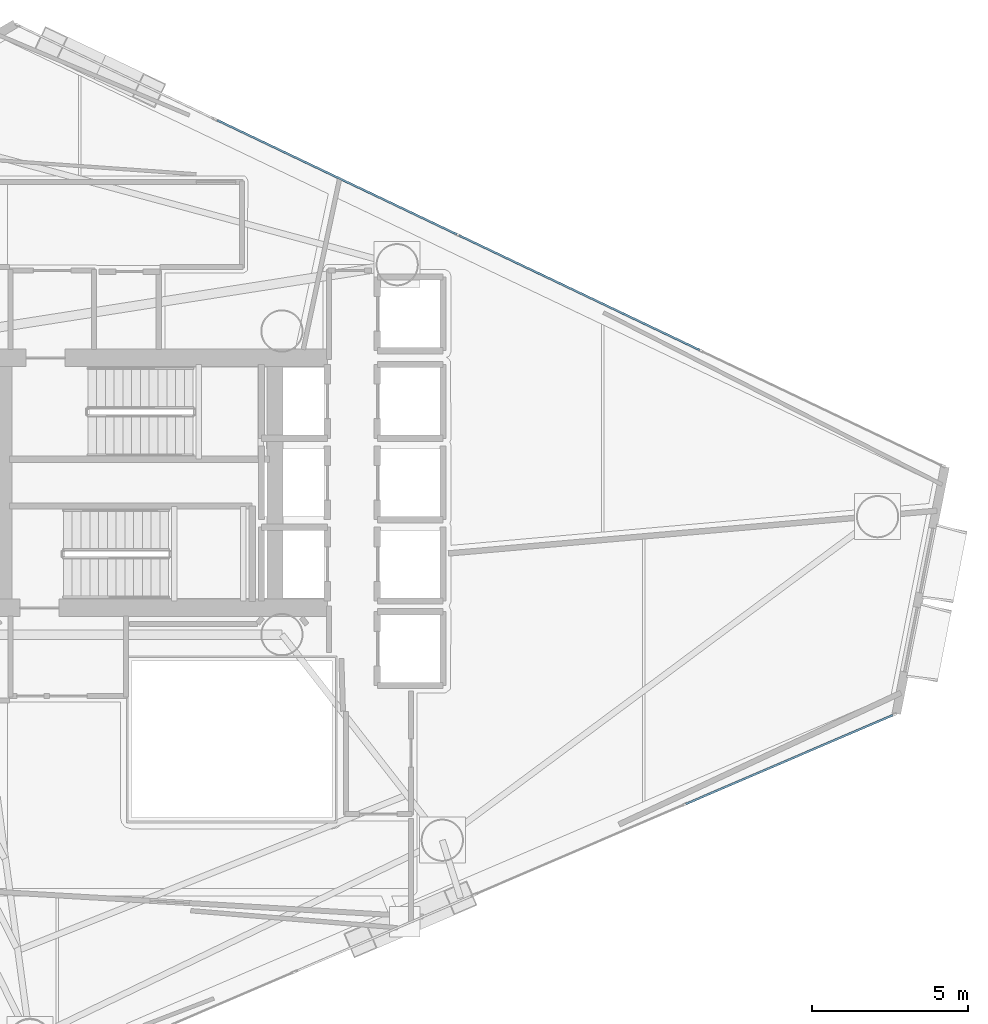
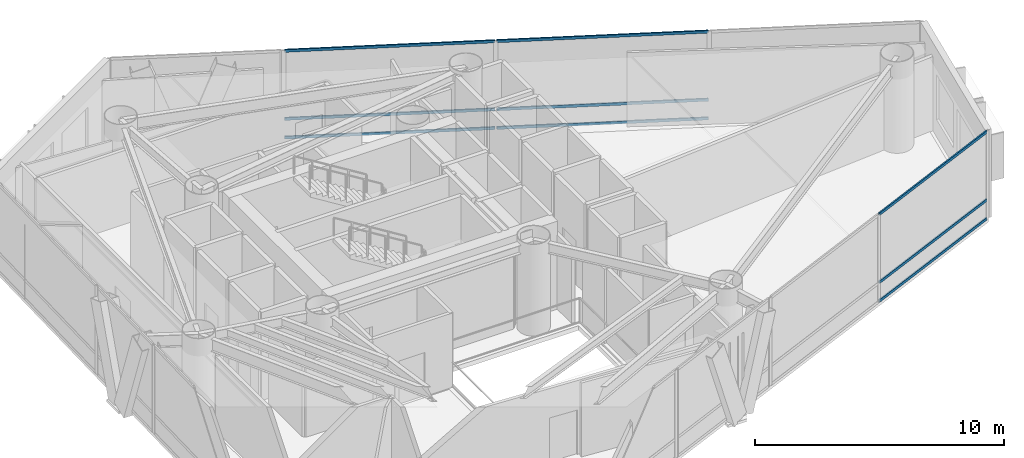
# One storey, part 12 of 21: 9 members, 2 elements without a shape of their own.
"""IFC4 building model written with IfcOpenShell, lengths in metres."""

import ifcopenshell
import ifcopenshell.guid

model = None  # the IFC model being written
_history = None  # IfcOwnerHistory: only IFC2X3 demands one
_inside = {}  # id of a spatial element -> (the spatial element, [elements in it])
_under = {}  # id of a project, library or spatial element -> (it, [spatial elements below it])
_declared = {}  # id of a project -> (the project, [libraries it declares])
_typed = {}  # id of a type object -> (the type object, [elements of that type])
_made_of = {}  # id of a material, layer set ... -> (it, [elements and type objects made of it])


def new_model(schema):
    """Start an empty IFC model of exactly this schema.

    Asked for "IFC4X3", IfcOpenShell would pick the latest addendum, in which some entities
    have other attributes; the version numbers below select the first issue.
    IFC2X3 requires an IfcOwnerHistory on every rooted entity: one is made here for all.
    """
    global model, _history
    if schema == "IFC4X3":
        model = ifcopenshell.file(schema_version=(4, 3, 0, 0))
    else:
        model = ifcopenshell.file(schema=schema)
    _inside.clear()
    _under.clear()
    _declared.clear()
    _typed.clear()
    _made_of.clear()
    _history = None
    if model.schema == "IFC2X3":
        org = make("IfcOrganization", Name="unknown")
        user = make(
            "IfcPersonAndOrganization",
            ThePerson=make("IfcPerson", FamilyName="unknown"),
            TheOrganization=org,
        )
        app = make(
            "IfcApplication",
            ApplicationDeveloper=org,
            Version="unknown",
            ApplicationFullName="unknown",
            ApplicationIdentifier="unknown",
        )
        _history = make(
            "IfcOwnerHistory",
            OwningUser=user,
            OwningApplication=app,
            ChangeAction="ADDED",
            CreationDate=0,
        )
    return model


def make(cls, **values):
    """One entity of the class cls with the attributes given. An attribute that is None is left unset."""
    return model.create_entity(
        cls, **{name: value for name, value in values.items() if value is not None}
    )


def rooted(cls, **values):
    """An entity with a GlobalId (a new one), such as an element, a storey or a relation."""
    return make(cls, GlobalId=ifcopenshell.guid.new(), OwnerHistory=_history, **values)


def si_unit(unit_type, name, prefix=None):
    """IfcSIUnit, for example si_unit("LENGTHUNIT", "METRE", prefix="MILLI")."""
    return make("IfcSIUnit", UnitType=unit_type, Prefix=prefix, Name=name)


def assignment(units):
    """IfcUnitAssignment: the units of a project."""
    return None if units is None else make("IfcUnitAssignment", Units=units)


def point(xyz):
    """IfcCartesianPoint."""
    return None if xyz is None else make("IfcCartesianPoint", Coordinates=xyz)


def direction(xyz):
    """IfcDirection."""
    return None if xyz is None else make("IfcDirection", DirectionRatios=xyz)


def frame(location, z_axis=None, x_axis=None):
    """IfcAxis2Placement3D, a coordinate frame: its origin and axes. An axis left out is left unset."""
    return make(
        "IfcAxis2Placement3D",
        Location=point(location),
        Axis=direction(z_axis),
        RefDirection=direction(x_axis),
    )


def frame_2d(location, x_axis=None):
    """IfcAxis2Placement2D, a coordinate frame in the plane: its origin and x axis."""
    return make(
        "IfcAxis2Placement2D", Location=point(location), RefDirection=direction(x_axis)
    )


def origin():
    """The frame at (0, 0, 0) with its axes left unset."""
    return frame((0.0, 0.0, 0.0))


def origin_2d():
    """The frame at (0, 0) in the plane with its x axis left unset."""
    return frame_2d((0.0, 0.0))


def place(relative_to, where):
    """IfcLocalPlacement: puts the frame where relative to a parent placement (None: the world)."""
    return make(
        "IfcLocalPlacement", PlacementRelTo=relative_to, RelativePlacement=where
    )


def context(
    kind, dimensions, precision=None, world=None, true_north=None, identifier=None
):
    """IfcGeometricRepresentationContext, for example the 3D "Model" context."""
    return make(
        "IfcGeometricRepresentationContext",
        ContextIdentifier=identifier,
        ContextType=kind,
        CoordinateSpaceDimension=dimensions,
        Precision=precision,
        WorldCoordinateSystem=world,
        TrueNorth=true_north,
    )


def subcontext(parent, identifier, kind, view, scale=None):
    """IfcGeometricRepresentationSubContext, for example "Body" below "Model"."""
    return make(
        "IfcGeometricRepresentationSubContext",
        ContextIdentifier=identifier,
        ContextType=kind,
        ParentContext=parent,
        TargetScale=scale,
        TargetView=view,
    )


def project(units=None, contexts=None):
    """IfcProject with its units and contexts."""
    return rooted(
        "IfcProject",
        Name="project",
        RepresentationContexts=contexts,
        UnitsInContext=assignment(units),
    )


def spatial(cls, under=None, at=None, **own):
    """A site, building, storey or space (cls), placed at a placement, below another one or the project."""
    s = rooted(cls, ObjectPlacement=at, **own)
    if under is not None:
        _under.setdefault(under.id(), (under, []))[1].append(s)
    return s


def profile(cls, at=None, kind="AREA", **sizes):
    """A parametric profile (cls). Its sizes go by their IFC names, for example OverallWidth=200.0."""
    return make(cls, ProfileType=kind, Position=at, **sizes)


def hollow_rectangle(**sizes):
    """IfcRectangleHollowProfileDef."""
    return profile("IfcRectangleHollowProfileDef", **sizes)


def extrude(swept, where, along, depth):
    """IfcExtrudedAreaSolid: the profile swept, set in the frame where, extruded along a direction by depth."""
    return make(
        "IfcExtrudedAreaSolid",
        SweptArea=swept,
        Position=where,
        ExtrudedDirection=direction(along),
        Depth=depth,
    )


def shape(context_of_items, identifier, shape_type, items):
    """IfcShapeRepresentation: the items that make up one representation, for example the "Body"."""
    return make(
        "IfcShapeRepresentation",
        ContextOfItems=context_of_items,
        RepresentationIdentifier=identifier,
        RepresentationType=shape_type,
        Items=items,
    )


def material(Name=None, Category=None):
    """IfcMaterial."""
    return make("IfcMaterial", Name=Name, Category=Category)


def layer(
    of_material, thickness, ventilated=None, Name=None, Category=None, Priority=None
):
    """IfcMaterialLayer: one layer of a wall or slab, of a material (None: an air gap)."""
    return make(
        "IfcMaterialLayer",
        Material=of_material,
        LayerThickness=thickness,
        IsVentilated=ventilated,
        Name=Name,
        Category=Category,
        Priority=Priority,
    )


def layer_set(layers, Name=None):
    """IfcMaterialLayerSet."""
    return make("IfcMaterialLayerSet", MaterialLayers=layers, LayerSetName=Name)


def material_profile(
    of_material, cross_section, Name=None, Category=None, Priority=None
):
    """IfcMaterialProfile: a cross section and its material."""
    return make(
        "IfcMaterialProfile",
        Name=Name,
        Material=of_material,
        Profile=cross_section,
        Priority=Priority,
        Category=Category,
    )


def profile_set(profiles, Name=None, composite=None):
    """IfcMaterialProfileSet."""
    return make(
        "IfcMaterialProfileSet",
        Name=Name,
        MaterialProfiles=profiles,
        CompositeProfile=composite,
    )


def made_of(thing, what):
    """Note that an element or type object is made of a material, layer set ...; save() writes the relation."""
    if what is not None:
        _made_of.setdefault(what.id(), (what, []))[1].append(thing)
    return thing


def type_object(cls, material=None, **own):
    """A type object (cls), such as IfcWallType, which elements share."""
    return made_of(rooted(cls, **own), material)


def element(
    cls,
    number,
    at=None,
    inside=None,
    cuts=None,
    type_object=None,
    material=None,
    context=None,
    identifier="Body",
    shape_type=None,
    held_by="IfcProductDefinitionShape",
    body=None,
    shapes=None,
    **own,
):
    """One element of the class cls, such as IfcWall. Its Tag is "e" and its number.

    at: its placement. inside: the storey or other place that contains it. cuts: it is an
    opening in that element (IfcRelVoidsElement). A single representation is given by context,
    identifier, shape_type and body (its items); several are given by shapes. held_by: the class
    of the entity that holds the representations. save() writes the other relations.
    """
    e = rooted(cls, Tag="e%d" % number, ObjectPlacement=at, **own)
    if body is not None:
        shapes = [shape(context, identifier, shape_type, body)]
    if shapes is not None:
        e.Representation = make(held_by, Representations=shapes)
    if inside is not None:
        _inside.setdefault(inside.id(), (inside, []))[1].append(e)
    if cuts is not None:
        rooted(
            "IfcRelVoidsElement", RelatingBuildingElement=cuts, RelatedOpeningElement=e
        )
    if type_object is not None:
        _typed.setdefault(type_object.id(), (type_object, []))[1].append(e)
    return made_of(e, material)


def aggregate(whole, parts):
    """IfcRelAggregates: a whole, such as a stair, and the parts it consists of."""
    return rooted("IfcRelAggregates", RelatingObject=whole, RelatedObjects=parts)


def save(model, path):
    """Write the relations noted so far, then the file.

    IfcRelAggregates (storeys below a building ...), IfcRelContainedInSpatialStructure (elements
    in a storey), IfcRelDefinesByType, IfcRelAssociatesMaterial and IfcRelDeclares: one each for
    every whole, place, type object, material and project.
    """
    for whole, parts in _under.values():
        aggregate(whole, parts)
    for where, things in _inside.values():
        rooted(
            "IfcRelContainedInSpatialStructure",
            RelatedElements=things,
            RelatingStructure=where,
        )
    for kind, things in _typed.values():
        rooted("IfcRelDefinesByType", RelatedObjects=things, RelatingType=kind)
    for what, things in _made_of.values():
        rooted("IfcRelAssociatesMaterial", RelatedObjects=things, RelatingMaterial=what)
    for by, libraries in _declared.values():
        rooted("IfcRelDeclares", RelatingContext=by, RelatedDefinitions=libraries)
    model.write(path)


model = new_model("IFC4")

# Units and contexts
model_context = context("Model", 3, precision=1e-05, world=origin(), true_north=direction((0.0, 1.0)))
body_context = subcontext(model_context, "Body", "Model", "MODEL_VIEW")
ifc_project = project(units=[si_unit("LENGTHUNIT", "METRE"), si_unit("AREAUNIT", "SQUARE_METRE"), si_unit("VOLUMEUNIT", "CUBIC_METRE"), si_unit("PLANEANGLEUNIT", "RADIAN"), si_unit("MASSUNIT", "GRAM", prefix="KILO")], contexts=[model_context])

# Site, building, storey
site_placement = place(None, origin())
site = spatial("IfcSite", under=ifc_project, at=site_placement, CompositionType="ELEMENT")
building_placement = place(site_placement, origin())
building = spatial("IfcBuilding", under=site, at=building_placement, Name="Qianvela Tower", CompositionType="ELEMENT")
storey_placement = place(building_placement, frame((0.0, 0.0, 143.10009765625)))
storey = spatial("IfcBuildingStorey", under=building, at=storey_placement, Name="L36", CompositionType="ELEMENT", Elevation=143.10009765625)

# Curtain wall, members
ifc_material_1 = material(Name="Anodised Architectural Aluminium and Low-E Glass", Category="aluminium")
ifc_layer = layer(ifc_material_1, 0.18994140625)
ifc_layer_set = layer_set([ifc_layer], Name="Anodised Architectural Aluminium and Low-E Glass")
curtain_wall_type = type_object("IfcCurtainWallType", Name="CW-SKYLOBBY", PredefinedType="USERDEFINED", material=ifc_layer_set)
curtain_wall_1_placement = place(storey_placement, origin())
curtain_wall_1 = element("IfcCurtainWall", 1, at=curtain_wall_1_placement, inside=storey, type_object=curtain_wall_type, Name="L36 CW-SKYLOBBY Curtain Wall 02A", ObjectType="CURTAIN_WALL_SYSTEM", PredefinedType="USERDEFINED")
ifc_material_2 = material(Name="Anodised Architectural Aluminium 6063-T6", Category="aluminium")
ifc_material_profile = material_profile(ifc_material_2, hollow_rectangle(XDim=0.06494140625, YDim=0.1298828125, WallThickness=0.00439453125, at=origin_2d()), Name="ALU-TRAN-65x130")
ifc_profile_set = profile_set([ifc_material_profile], Name="Anodised Architectural Aluminium 6063-T6")
member_type = type_object("IfcMemberType", Name="CW-SKYLOBBY-TRAN", PredefinedType="USERDEFINED", material=ifc_profile_set)
member_1_placement = place(storey_placement, frame((51.752685546875, 32.94091796875, 0.032470703125), z_axis=(-0.902789029707, 0.430083675394, 0.0), x_axis=(-0.430083675394, -0.902789029707, 0.0)))
member_1 = element("IfcMember", 2, at=member_1_placement, type_object=member_type, Name="CW-7 transom 2.1", ObjectType="TRANSOM", PredefinedType="USERDEFINED", context=body_context, shape_type="SweptSolid", body=[
    extrude(hollow_rectangle(XDim=0.06494140625, YDim=0.1298828125, WallThickness=0.00439453125, at=origin_2d()), origin(), (0.0, 0.0, 1.0), 8.5234375),
])
member_2_placement = place(storey_placement, frame((51.752685546875, 32.94091796875, 0.949951171875), z_axis=(-0.902789029707, 0.430083675394, 0.0), x_axis=(-0.430083675394, -0.902789029707, 0.0)))
member_2 = element("IfcMember", 3, at=member_2_placement, type_object=member_type, Name="CW-7 transom 2.2", ObjectType="TRANSOM", PredefinedType="USERDEFINED", context=body_context, shape_type="SweptSolid", body=[
    extrude(hollow_rectangle(XDim=0.06494140625, YDim=0.1298828125, WallThickness=0.00439453125, at=origin_2d()), origin(), (0.0, 0.0, 1.0), 8.5234375),
])
member_3_placement = place(storey_placement, frame((51.752685546875, 32.94091796875, 4.287353515625), z_axis=(-0.902789029707, 0.430083675394, 0.0), x_axis=(-0.430083675394, -0.902789029707, 0.0)))
member_3 = element("IfcMember", 4, at=member_3_placement, type_object=member_type, Name="CW-7 transom 2.3", ObjectType="TRANSOM", PredefinedType="USERDEFINED", context=body_context, shape_type="SweptSolid", body=[
    extrude(hollow_rectangle(XDim=0.06494140625, YDim=0.1298828125, WallThickness=0.00439453125, at=origin_2d()), origin(), (0.0, 0.0, 1.0), 8.5234375),
])
member_4_placement = place(storey_placement, frame((43.994873046875, 36.63671875, 0.032470703125), z_axis=(-0.902783949861, 0.430094338342, 0.0), x_axis=(-0.430094338342, -0.902783949861, 0.0)))
member_4 = element("IfcMember", 5, at=member_4_placement, type_object=member_type, Name="CW-7 transom 3.1", ObjectType="TRANSOM", PredefinedType="USERDEFINED", context=body_context, shape_type="SweptSolid", body=[
    extrude(hollow_rectangle(XDim=0.06494140625, YDim=0.1298828125, WallThickness=0.00439453125, at=origin_2d()), origin(), (0.0, 0.0, 1.0), 8.488525390625),
])
member_5_placement = place(storey_placement, frame((43.994873046875, 36.63671875, 0.949951171875), z_axis=(-0.902783949861, 0.430094338342, 0.0), x_axis=(-0.430094338342, -0.902783949861, 0.0)))
member_5 = element("IfcMember", 6, at=member_5_placement, type_object=member_type, Name="CW-7 transom 3.2", ObjectType="TRANSOM", PredefinedType="USERDEFINED", context=body_context, shape_type="SweptSolid", body=[
    extrude(hollow_rectangle(XDim=0.06494140625, YDim=0.1298828125, WallThickness=0.00439453125, at=origin_2d()), origin(), (0.0, 0.0, 1.0), 8.488525390625),
])
member_6_placement = place(storey_placement, frame((43.994873046875, 36.63671875, 4.287353515625), z_axis=(-0.902783949861, 0.430094338342, 0.0), x_axis=(-0.430094338342, -0.902783949861, 0.0)))
member_6 = element("IfcMember", 7, at=member_6_placement, type_object=member_type, Name="CW-7 transom 3.3", ObjectType="TRANSOM", PredefinedType="USERDEFINED", context=body_context, shape_type="SweptSolid", body=[
    extrude(hollow_rectangle(XDim=0.06494140625, YDim=0.1298828125, WallThickness=0.00439453125, at=origin_2d()), origin(), (0.0, 0.0, 1.0), 8.488525390625),
])
aggregate(curtain_wall_1, [member_1, member_2, member_3, member_4, member_5, member_6])

curtain_wall_2_placement = place(storey_placement, origin())
curtain_wall_2 = element("IfcCurtainWall", 8, at=curtain_wall_2_placement, inside=storey, type_object=curtain_wall_type, Name="L36 CW-SKYLOBBY Curtain Wall 06C", ObjectType="CURTAIN_WALL_SYSTEM", PredefinedType="USERDEFINED")
member_7_placement = place(storey_placement, frame((51.30224609375, 18.43505859375, 0.032470703125), z_axis=(0.91890654769, 0.394475292778, 0.0), x_axis=(-0.394475292778, 0.91890654769, 0.0)))
member_7 = element("IfcMember", 9, at=member_7_placement, type_object=member_type, Name="CW-7 transom 2.1", ObjectType="TRANSOM", PredefinedType="USERDEFINED", context=body_context, shape_type="SweptSolid", body=[
    extrude(hollow_rectangle(XDim=0.06494140625, YDim=0.1298828125, WallThickness=0.00439453125, at=origin_2d()), origin(), (0.0, 0.0, 1.0), 7.20654296875),
])
member_8_placement = place(storey_placement, frame((51.30224609375, 18.43505859375, 0.949951171875), z_axis=(0.91890654769, 0.394475292778, 0.0), x_axis=(-0.394475292778, 0.91890654769, 0.0)))
member_8 = element("IfcMember", 10, at=member_8_placement, type_object=member_type, Name="CW-7 transom 2.2", ObjectType="TRANSOM", PredefinedType="USERDEFINED", context=body_context, shape_type="SweptSolid", body=[
    extrude(hollow_rectangle(XDim=0.06494140625, YDim=0.1298828125, WallThickness=0.00439453125, at=origin_2d()), origin(), (0.0, 0.0, 1.0), 7.20654296875),
])
member_9_placement = place(storey_placement, frame((51.30224609375, 18.43505859375, 4.287353515625), z_axis=(0.91890654769, 0.394475292778, 0.0), x_axis=(-0.394475292778, 0.91890654769, 0.0)))
member_9 = element("IfcMember", 11, at=member_9_placement, type_object=member_type, Name="CW-7 transom 2.3", ObjectType="TRANSOM", PredefinedType="USERDEFINED", context=body_context, shape_type="SweptSolid", body=[
    extrude(hollow_rectangle(XDim=0.06494140625, YDim=0.1298828125, WallThickness=0.00439453125, at=origin_2d()), origin(), (0.0, 0.0, 1.0), 7.20654296875),
])
aggregate(curtain_wall_2, [member_7, member_8, member_9])

save(model, "model.ifc")
